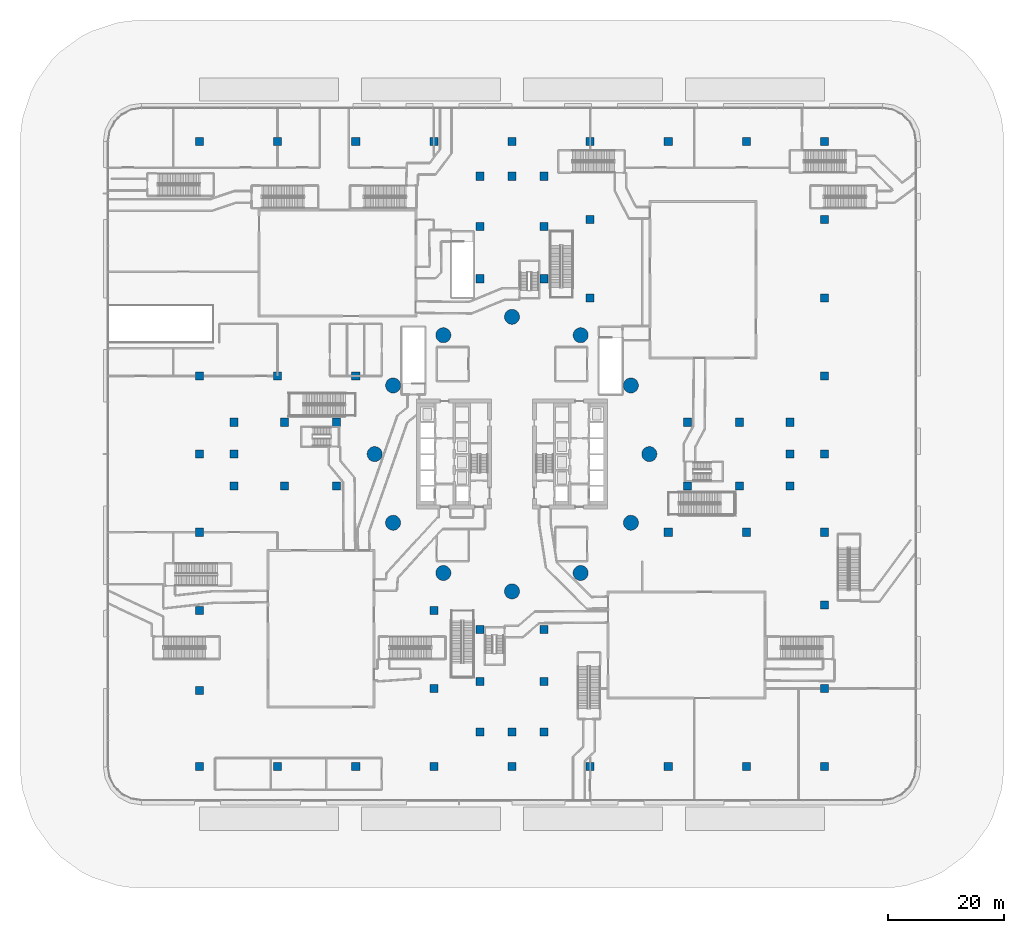
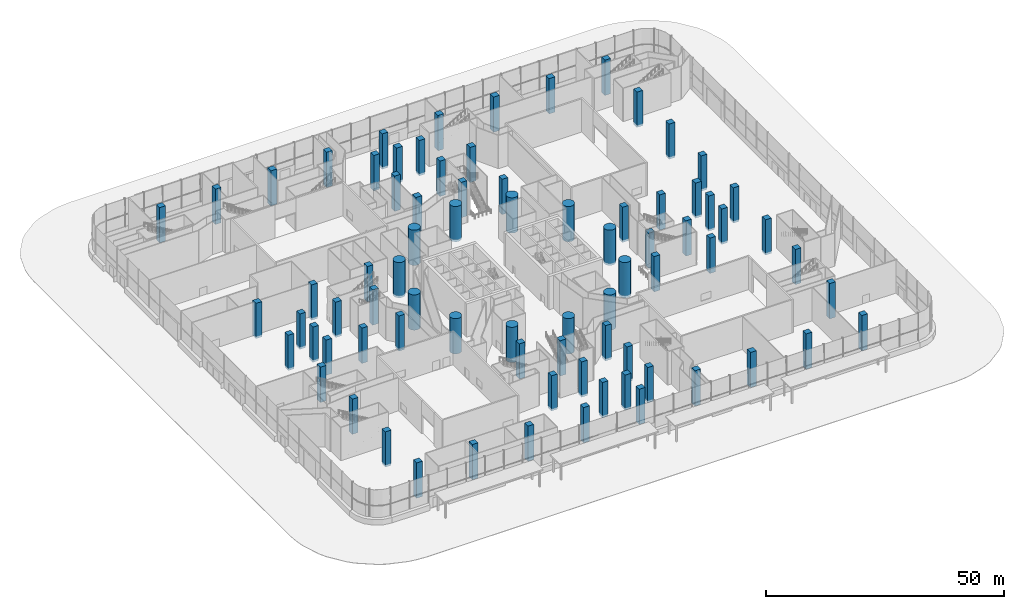
# One storey, part 1 of 54: 78 columns.
"""IFC4 building model written with IfcOpenShell, lengths in metres."""

from ifc_helpers import new_model, si_unit, direction, frame, origin, origin_2d, place, context, subcontext, project, spatial, rectangle, circle, extrude, material, material_profile, profile_set, type_object, element, save


model = new_model("IFC4")

# Units and contexts
model_context = context("Model", 3, precision=1e-05, world=origin(), true_north=direction((0.0, 1.0)))
body_context = subcontext(model_context, "Body", "Model", "MODEL_VIEW")
ifc_project = project(units=[si_unit("LENGTHUNIT", "METRE"), si_unit("AREAUNIT", "SQUARE_METRE"), si_unit("VOLUMEUNIT", "CUBIC_METRE"), si_unit("PLANEANGLEUNIT", "RADIAN"), si_unit("MASSUNIT", "GRAM", prefix="KILO")], contexts=[model_context])

# Site, building, storey
site_placement = place(None, origin())
site = spatial("IfcSite", under=ifc_project, at=site_placement, CompositionType="ELEMENT")
building_placement = place(site_placement, origin())
building = spatial("IfcBuilding", under=site, at=building_placement, Name="Tamarind Cross Interchange Tower", CompositionType="ELEMENT")
storey_placement = place(building_placement, origin())
storey = spatial("IfcBuildingStorey", under=building, at=storey_placement, Name="L00", CompositionType="ELEMENT", Elevation=0.0)

# Columns
ifc_material = material(Name="Concrete C80", Category="concrete")
ifc_material_profile_1 = material_profile(ifc_material, rectangle(XDim=1.39990234375, YDim=1.39990234375, at=origin_2d()), Name="RC 1400x1400")
ifc_profile_set_1 = profile_set([ifc_material_profile_1], Name="Concrete C80")
column_type_1 = type_object("IfcColumnType", Name="Column RC 1400x1400 Concrete C80", PredefinedType="COLUMN", material=ifc_profile_set_1)
for number, where, z_axis, x_axis, name in (
    (1, (39.300048828125, 5.5, -0.550048828125), (0.0, 0.0, 1.0), (1.0, 0.0, 0.0), "Column E.ep0"),
    (2, (39.300048828125, -5.5, -0.550048828125), (0.0, 0.0, 1.0), (1.0, 0.0, 0.0), "Column E.em0"),
    (3, (30.300048828125, 5.5, -0.550048828125), (0.0, 0.0, 1.0), (1.0, 0.0, 0.0), "Column E.ep1"),
    (4, (30.300048828125, -5.5, -0.550048828125), (0.0, 0.0, 1.0), (1.0, 0.0, 0.0), "Column E.em1"),
    (5, (48.007568359375, -5.5, -0.550048828125), (0.0, 0.0, 1.0), (1.0, 0.0, 0.0), "Column E.t0"),
    (6, (48.007568359375, 0.0, -0.550048828125), (0.0, 0.0, 1.0), (1.0, 0.0, 0.0), "Column E.t1"),
    (7, (48.007568359375, 5.5, -0.550048828125), (0.0, 0.0, 1.0), (1.0, 0.0, 0.0), "Column E.t2"),
    (8, (-5.5, 39.300048828125, -0.550048828125), (0.0, 0.0, 1.0), (1.0, 0.0, 0.0), "Column N.ep0"),
    (9, (5.5, 39.300048828125, -0.550048828125), (0.0, 0.0, 1.0), (1.0, 0.0, 0.0), "Column N.em0"),
    (10, (-5.5, 30.300048828125, -0.550048828125), (0.0, 0.0, 1.0), (1.0, 0.0, 0.0), "Column N.ep1"),
    (11, (5.5, 30.300048828125, -0.550048828125), (0.0, 0.0, 1.0), (1.0, 0.0, 0.0), "Column N.em1"),
    (12, (5.5, 48.007568359375, -0.550048828125), (0.0, 0.0, 1.0), (1.0, 0.0, 0.0), "Column N.t0"),
    (13, (0.0, 48.007568359375, -0.550048828125), (0.0, 0.0, 1.0), (1.0, 0.0, 0.0), "Column N.t1"),
    (14, (-5.5, 48.007568359375, -0.550048828125), (0.0, 0.0, 1.0), (1.0, 0.0, 0.0), "Column N.t2"),
    (15, (-39.300048828125, -5.5, -0.550048828125), (0.0, 0.0, 1.0), (1.0, 0.0, 0.0), "Column W.ep0"),
    (16, (-39.300048828125, 5.5, -0.550048828125), (0.0, 0.0, 1.0), (1.0, 0.0, 0.0), "Column W.em0"),
    (17, (-30.300048828125, -5.5, -0.550048828125), (0.0, 0.0, 1.0), (1.0, 0.0, 0.0), "Column W.ep1"),
    (18, (-30.300048828125, 5.5, -0.550048828125), (0.0, 0.0, 1.0), (1.0, 0.0, 0.0), "Column W.em1"),
    (19, (-48.007568359375, 5.5, -0.550048828125), (0.0, 0.0, 1.0), (1.0, 0.0, 0.0), "Column W.t0"),
    (20, (-48.007568359375, 0.0, -0.550048828125), (0.0, 0.0, 1.0), (1.0, 0.0, 0.0), "Column W.t1"),
    (21, (-48.007568359375, -5.5, -0.550048828125), (0.0, 0.0, 1.0), (1.0, 0.0, 0.0), "Column W.t2"),
    (22, (5.5, -39.300048828125, -0.550048828125), (0.0, 0.0, 1.0), (1.0, 0.0, 0.0), "Column S.ep0"),
    (23, (-5.5, -39.300048828125, -0.550048828125), (0.0, 0.0, 1.0), (1.0, 0.0, 0.0), "Column S.em0"),
    (24, (5.5, -30.300048828125, -0.550048828125), (0.0, 0.0, 1.0), (1.0, 0.0, 0.0), "Column S.ep1"),
    (25, (-5.5, -30.300048828125, -0.550048828125), (0.0, 0.0, 1.0), (1.0, 0.0, 0.0), "Column S.em1"),
    (26, (-5.5, -48.007568359375, -0.550048828125), (0.0, 0.0, 1.0), (1.0, 0.0, 0.0), "Column S.t0"),
    (27, (0.0, -48.007568359375, -0.550048828125), (0.0, 0.0, 1.0), (1.0, 0.0, 0.0), "Column S.t1"),
    (28, (5.5, -48.007568359375, -0.550048828125), (0.0, 0.0, 1.0), (1.0, 0.0, 0.0), "Column S.t2"),
    (29, (-54.0, -54.0, -0.550048828125), (0.0, 0.0, 1.0), (1.0, 0.0, 0.0), "Column G01"),
    (30, (-54.0, -40.85009765625, -0.550048828125), (0.0, 0.0, 1.0), (1.0, 0.0, 0.0), "Column G02"),
    (31, (-54.0, -27.0, -0.550048828125), (0.0, 0.0, 1.0), (1.0, 0.0, 0.0), "Column G03"),
    (32, (-54.0, -13.5, -0.550048828125), (0.0, 0.0, 1.0), (1.0, 0.0, 0.0), "Column G04"),
    (33, (-54.0, 0.0, -0.550048828125), (0.0, 0.0, 1.0), (1.0, 0.0, 0.0), "Column G05"),
    (34, (-54.0, 13.5, -0.550048828125), (0.0, 0.0, 1.0), (1.0, 0.0, 0.0), "Column G06"),
    (35, (-54.0, 54.0, -0.550048828125), (0.0, 0.0, 1.0), (1.0, 0.0, 0.0), "Column G07"),
    (36, (-40.5, -54.0, -0.550048828125), (0.0, 0.0, 1.0), (1.0, 0.0, 0.0), "Column G08"),
    (37, (-40.5, 13.5, -0.550048828125), (0.0, 0.0, 1.0), (1.0, 0.0, 0.0), "Column G09"),
    (38, (-40.5, 54.0, -0.550048828125), (0.0, 0.0, 1.0), (1.0, 0.0, 0.0), "Column G10"),
    (39, (-27.0, -54.0, -0.550048828125), (0.0, 0.0, 1.0), (1.0, 0.0, 0.0), "Column G11"),
    (40, (-27.0, 13.5, -0.550048828125), (0.0, 0.0, 1.0), (1.0, 0.0, 0.0), "Column G12"),
    (41, (-27.0, 54.0, -0.550048828125), (0.0, 0.0, 1.0), (1.0, 0.0, 0.0), "Column G13"),
    (42, (-13.5, -54.0, -0.550048828125), (0.0, 0.0, 1.0), (1.0, 0.0, 0.0), "Column G14"),
    (43, (-13.5, -40.5, -0.550048828125), (0.0, 0.0, 1.0), (1.0, 0.0, 0.0), "Column G15"),
    (44, (-13.5, -27.0, -0.550048828125), (0.0, 0.0, 1.0), (1.0, 0.0, 0.0), "Column G16"),
    (45, (-13.5, 54.0, -0.550048828125), (0.0, 0.0, 1.0), (1.0, 0.0, 0.0), "Column G17"),
    (46, (0.0, -54.0, -0.550048828125), (0.0, 0.0, 1.0), (1.0, 0.0, 0.0), "Column G18"),
    (47, (0.0, 54.0, -0.550048828125), (0.0, 0.0, 1.0), (1.0, 0.0, 0.0), "Column G19"),
    (48, (13.5, -54.0, -0.550048828125), (0.0, 0.0, 1.0), (1.0, 0.0, 0.0), "Column G20"),
    (49, (13.5, 27.0, -0.550048828125), (0.0, 0.0, 1.0), (1.0, 0.0, 0.0), "Column G21"),
    (50, (13.5, 40.5, -0.550048828125), (0.0, 0.0, 1.0), (1.0, 0.0, 0.0), "Column G22"),
    (51, (13.5, 54.0, -0.550048828125), (0.0, 0.0, 1.0), (1.0, 0.0, 0.0), "Column G23"),
    (52, (27.0, -54.0, -0.550048828125), (0.0, 0.0, 1.0), (1.0, 0.0, 0.0), "Column G24"),
    (53, (27.0, -13.5, -0.550048828125), (0.0, 0.0, 1.0), (1.0, 0.0, 0.0), "Column G25"),
    (54, (27.0, 54.0, -0.550048828125), (0.0, 0.0, 1.0), (1.0, 0.0, 0.0), "Column G26"),
    (55, (40.5, -54.0, -0.550048828125), (0.0, 0.0, 1.0), (1.0, 0.0, 0.0), "Column G27"),
    (56, (40.5, -13.5, -0.550048828125), (0.0, 0.0, 1.0), (1.0, 0.0, 0.0), "Column G28"),
    (57, (40.5, 54.0, -0.550048828125), (0.0, 0.0, 1.0), (1.0, 0.0, 0.0), "Column G29"),
    (58, (54.0, -54.0, -0.550048828125), (0.0, 0.0, 1.0), (1.0, 0.0, 0.0), "Column G30"),
    (59, (54.0, -40.5, -0.550048828125), (0.0, 0.0, 1.0), (1.0, 0.0, 0.0), "Column G31"),
    (60, (54.0, -26.050048828125, -0.550048828125), (0.0, 0.0, 1.0), (1.0, 0.0, 0.0), "Column G32"),
    (61, (54.0, -13.5, -0.550048828125), (0.0, 0.0, 1.0), (1.0, 0.0, 0.0), "Column G33"),
    (62, (54.0, 0.0, -0.550048828125), (0.0, 0.0, 1.0), (1.0, 0.0, 0.0), "Column G34"),
    (63, (54.0, 13.5, -0.550048828125), (0.0, 0.0, 1.0), (1.0, 0.0, 0.0), "Column G35"),
    (64, (54.0, 27.0, -0.550048828125), (0.0, 0.0, 1.0), (1.0, 0.0, 0.0), "Column G36"),
    (65, (54.0, 40.5, -0.550048828125), (0.0, 0.0, 1.0), (1.0, 0.0, 0.0), "Column G37"),
    (66, (54.0, 54.0, -0.550048828125), (0.0, 0.0, 1.0), (1.0, 0.0, 0.0), "Column G38"),
):
    element("IfcColumn", number, at=place(storey_placement, frame(where, z_axis=z_axis, x_axis=x_axis)), inside=storey, type_object=column_type_1, Name=name, PredefinedType="COLUMN", context=body_context, shape_type="SweptSolid", body=[
        extrude(rectangle(XDim=1.39990234375, YDim=1.39990234375, at=origin_2d()), origin(), (0.0, 0.0, 1.0), 9.050048828125),
    ])
ifc_material_profile_2 = material_profile(ifc_material, circle(Radius=1.300048828125, at=origin_2d()), Name="RC D2600")
ifc_profile_set_2 = profile_set([ifc_material_profile_2], Name="Concrete C80")
column_type_2 = type_object("IfcColumnType", Name="Column RC D2600 Concrete C80", PredefinedType="COLUMN", material=ifc_profile_set_2)
for number, where, z_axis, x_axis, name in (
    (67, (23.720703125, 0.0, -0.550048828125), (0.0, 0.0, 1.0), (1.0, 0.0, 0.0), "Ring column R01"),
    (68, (20.542724609375, 11.8603515625, -0.550048828125), (0.0, 0.0, 1.0), (1.0, 0.0, 0.0), "Ring column R02"),
    (69, (11.8603515625, 20.542724609375, -0.550048828125), (0.0, 0.0, 1.0), (1.0, 0.0, 0.0), "Ring column R03"),
    (70, (0.0, 23.720703125, -0.550048828125), (0.0, 0.0, 1.0), (1.0, 0.0, 0.0), "Ring column R04"),
    (71, (-11.8603515625, 20.542724609375, -0.550048828125), (0.0, 0.0, 1.0), (1.0, 0.0, 0.0), "Ring column R05"),
    (72, (-20.542724609375, 11.8603515625, -0.550048828125), (0.0, 0.0, 1.0), (1.0, 0.0, 0.0), "Ring column R06"),
    (73, (-23.720703125, 0.0, -0.550048828125), (0.0, 0.0, 1.0), (1.0, 0.0, 0.0), "Ring column R07"),
    (74, (-20.542724609375, -11.8603515625, -0.550048828125), (0.0, 0.0, 1.0), (1.0, 0.0, 0.0), "Ring column R08"),
    (75, (-11.8603515625, -20.542724609375, -0.550048828125), (0.0, 0.0, 1.0), (1.0, 0.0, 0.0), "Ring column R09"),
    (76, (0.0, -23.720703125, -0.550048828125), (0.0, 0.0, 1.0), (1.0, 0.0, 0.0), "Ring column R10"),
    (77, (11.8603515625, -20.542724609375, -0.550048828125), (0.0, 0.0, 1.0), (1.0, 0.0, 0.0), "Ring column R11"),
    (78, (20.542724609375, -11.8603515625, -0.550048828125), (0.0, 0.0, 1.0), (1.0, 0.0, 0.0), "Ring column R12"),
):
    element("IfcColumn", number, at=place(storey_placement, frame(where, z_axis=z_axis, x_axis=x_axis)), inside=storey, type_object=column_type_2, Name=name, PredefinedType="COLUMN", context=body_context, shape_type="SweptSolid", body=[
        extrude(circle(Radius=1.300048828125, at=origin_2d()), origin(), (0.0, 0.0, 1.0), 9.050048828125),
    ])

save(model, "model.ifc")
